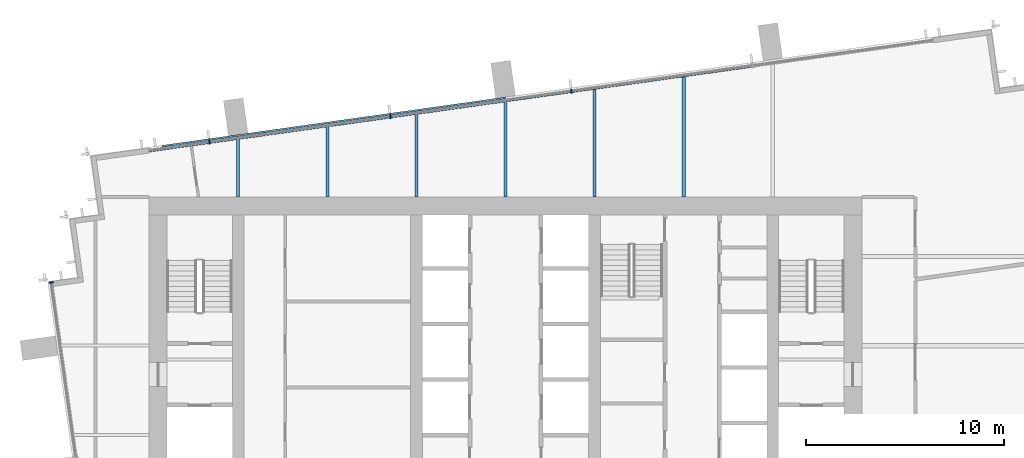
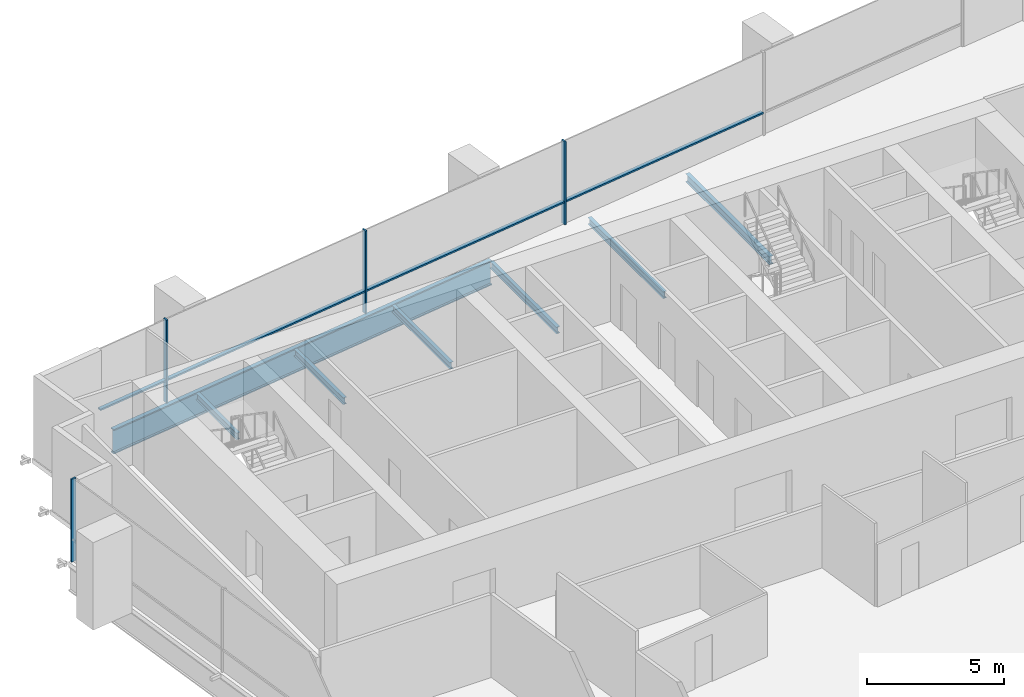
# One storey, part 6 of 13: 8 members, 7 beams, 2 elements without a shape of their own.
"""IFC4 building model written with IfcOpenShell, lengths in metres."""

from ifc_helpers import new_model, si_unit, direction, frame, origin, origin_2d, place, context, subcontext, project, spatial, rectangle, i_section, extrude, material, layer, layer_set, material_profile, profile_set, type_object, element, aggregate, save


model = new_model("IFC4")

# Units and contexts
model_context = context("Model", 3, precision=1e-05, world=origin(), true_north=direction((0.0, 1.0)))
body_context = subcontext(model_context, "Body", "Model", "MODEL_VIEW")
ifc_project = project(units=[si_unit("LENGTHUNIT", "METRE"), si_unit("AREAUNIT", "SQUARE_METRE"), si_unit("VOLUMEUNIT", "CUBIC_METRE"), si_unit("PLANEANGLEUNIT", "RADIAN"), si_unit("MASSUNIT", "GRAM", prefix="KILO")], contexts=[model_context])

# Site, building, storey
site_placement = place(None, origin())
site = spatial("IfcSite", under=ifc_project, at=site_placement, CompositionType="ELEMENT")
building_placement = place(site_placement, origin())
building = spatial("IfcBuilding", under=site, at=building_placement, Name="Rattan Terrace Tower", CompositionType="ELEMENT")
storey_placement = place(building_placement, frame((0.0, 0.0, 217.39990234375)))
storey = spatial("IfcBuildingStorey", under=building, at=storey_placement, Name="L49", CompositionType="ELEMENT", Elevation=217.39990234375)

# Beams
ifc_material_1 = material(Name="Steel S460", Category="steel")
ifc_material_profile_1 = material_profile(ifc_material_1, i_section(OverallWidth=0.179931640625, OverallDepth=1.10009765625, WebThickness=0.01611328125, FlangeThickness=0.050048828125, at=origin_2d()), Name="PG 1100x180-16-50")
ifc_profile_set_1 = profile_set([ifc_material_profile_1], Name="Steel S460")
beam_type_1 = type_object("IfcBeamType", Name="Frame edge girder PG 1100x180-16-50", PredefinedType="SPANDREL", material=ifc_profile_set_1)
beam_1_placement = place(storey_placement, frame((-17.347900390625, 10.031005859375, -0.75), z_axis=(0.990267797657, 0.13917502981, 0.0), x_axis=(-0.13917502981, 0.990267797657, 0.0)))
element("IfcBeam", 1, at=beam_1_placement, inside=storey, type_object=beam_type_1, Name="gdr-L49-005", PredefinedType="SPANDREL", context=body_context, shape_type="SweptSolid", body=[
    extrude(i_section(OverallWidth=0.179931640625, OverallDepth=1.10009765625, WebThickness=0.01611328125, FlangeThickness=0.050048828125, at=origin_2d()), origin(), (0.0, 0.0, 1.0), 17.531494140625),
])
ifc_material_2 = material(Name="Steel S355", Category="steel")
ifc_material_profile_2 = material_profile(ifc_material_2, i_section(OverallWidth=0.14990234375, OverallDepth=0.300048828125, WebThickness=0.007080078125, FlangeThickness=0.0107421875, FilletRadius=0.014892578125, at=origin_2d()), Name="IPE 300")
ifc_profile_set_2 = profile_set([ifc_material_profile_2], Name="Steel S355")
beam_type_2 = type_object("IfcBeamType", Name="Frame floor beam IPE 300", PredefinedType="JOIST", material=ifc_profile_set_2)
beam_2_placement = place(storey_placement, frame((-13.5, 7.5, -0.349853515625), z_axis=(0.0, 1.0, 0.0), x_axis=(-1.0, 0.0, 0.0)))
element("IfcBeam", 2, at=beam_2_placement, inside=storey, type_object=beam_type_2, Name="bm-L49-014", PredefinedType="JOIST", context=body_context, shape_type="SweptSolid", body=[
    extrude(i_section(OverallWidth=0.14990234375, OverallDepth=0.300048828125, WebThickness=0.007080078125, FlangeThickness=0.0107421875, FilletRadius=0.014892578125, at=origin_2d()), origin(), (0.0, 0.0, 1.0), 2.969970703125),
])
beam_3_placement = place(storey_placement, frame((-9.0, 7.5, -0.349853515625), z_axis=(0.0, 1.0, 0.0), x_axis=(-1.0, 0.0, 0.0)))
element("IfcBeam", 3, at=beam_3_placement, inside=storey, type_object=beam_type_2, Name="bm-L49-015", PredefinedType="JOIST", context=body_context, shape_type="SweptSolid", body=[
    extrude(i_section(OverallWidth=0.14990234375, OverallDepth=0.300048828125, WebThickness=0.007080078125, FlangeThickness=0.0107421875, FilletRadius=0.014892578125, at=origin_2d()), origin(), (0.0, 0.0, 1.0), 3.60302734375),
])
beam_4_placement = place(storey_placement, frame((-4.5, 7.5, -0.349853515625), z_axis=(0.0, 1.0, 0.0), x_axis=(-1.0, 0.0, 0.0)))
element("IfcBeam", 4, at=beam_4_placement, inside=storey, type_object=beam_type_2, Name="bm-L49-016", PredefinedType="JOIST", context=body_context, shape_type="SweptSolid", body=[
    extrude(i_section(OverallWidth=0.14990234375, OverallDepth=0.300048828125, WebThickness=0.007080078125, FlangeThickness=0.0107421875, FilletRadius=0.014892578125, at=origin_2d()), origin(), (0.0, 0.0, 1.0), 4.235107421875),
])
beam_5_placement = place(storey_placement, frame((0.0, 7.5, -0.349853515625), z_axis=(0.0, 1.0, 0.0), x_axis=(-1.0, 0.0, 0.0)))
element("IfcBeam", 5, at=beam_5_placement, inside=storey, type_object=beam_type_2, Name="bm-L49-017", PredefinedType="JOIST", context=body_context, shape_type="SweptSolid", body=[
    extrude(i_section(OverallWidth=0.14990234375, OverallDepth=0.300048828125, WebThickness=0.007080078125, FlangeThickness=0.0107421875, FilletRadius=0.014892578125, at=origin_2d()), origin(), (0.0, 0.0, 1.0), 4.867919921875),
])
beam_6_placement = place(storey_placement, frame((4.5, 7.5, -0.349853515625), z_axis=(0.0, 1.0, 0.0), x_axis=(-1.0, 0.0, 0.0)))
element("IfcBeam", 6, at=beam_6_placement, inside=storey, type_object=beam_type_2, Name="bm-L49-018", PredefinedType="JOIST", context=body_context, shape_type="SweptSolid", body=[
    extrude(i_section(OverallWidth=0.14990234375, OverallDepth=0.300048828125, WebThickness=0.007080078125, FlangeThickness=0.0107421875, FilletRadius=0.014892578125, at=origin_2d()), origin(), (0.0, 0.0, 1.0), 5.5),
])
ifc_material_3 = material(Name="Steel S355", Category="steel")
ifc_material_profile_3 = material_profile(ifc_material_3, i_section(OverallWidth=0.169921875, OverallDepth=0.360107421875, WebThickness=0.008056640625, FlangeThickness=0.0126953125, FilletRadius=0.01806640625, at=origin_2d()), Name="IPE 360")
ifc_profile_set_3 = profile_set([ifc_material_profile_3], Name="Steel S355")
beam_type_3 = type_object("IfcBeamType", Name="Frame floor beam IPE 360", PredefinedType="JOIST", material=ifc_profile_set_3)
beam_7_placement = place(storey_placement, frame((9.0, 7.5, -0.3798828125), z_axis=(0.0, 1.0, 0.0), x_axis=(-1.0, 0.0, 0.0)))
element("IfcBeam", 7, at=beam_7_placement, inside=storey, type_object=beam_type_3, Name="bm-L49-019", PredefinedType="JOIST", context=body_context, shape_type="SweptSolid", body=[
    extrude(i_section(OverallWidth=0.169921875, OverallDepth=0.360107421875, WebThickness=0.008056640625, FlangeThickness=0.0126953125, FilletRadius=0.01806640625, at=origin_2d()), origin(), (0.0, 0.0, 1.0), 6.131103515625),
])

# Curtain wall, members
ifc_material_4 = material(Name="Aluminium and laminated glass", Category="aluminium")
ifc_layer = layer(ifc_material_4, 0.199951171875)
ifc_layer_set = layer_set([ifc_layer], Name="High-Zone Unitised Curtain Wall")
curtain_wall_type = type_object("IfcCurtainWallType", Name="High-Zone Unitised Curtain Wall", PredefinedType="NOTDEFINED", material=ifc_layer_set)
curtain_wall_1_placement = place(storey_placement, origin())
curtain_wall_1 = element("IfcCurtainWall", 8, at=curtain_wall_1_placement, inside=storey, type_object=curtain_wall_type, Name="High-zone curtain wall L49-2", PredefinedType="NOTDEFINED")
ifc_material_5 = material(Name="Aluminium", Category="aluminium")
ifc_material_profile_4 = material_profile(ifc_material_5, rectangle(XDim=0.070068359375, YDim=0.199951171875, at=origin_2d()), Name="Aluminium 70x200")
ifc_profile_set_4 = profile_set([ifc_material_profile_4], Name="Aluminium")
member_type_1 = type_object("IfcMemberType", Name="High-Zone CW Mullion 70x200", PredefinedType="MULLION", material=ifc_profile_set_4)
member_1_placement = place(storey_placement, frame((3.332275390625, 12.856201171875, 0.0), z_axis=(0.0, 0.0, 1.0), x_axis=(-0.990267457022, -0.139177453499, 0.0)))
member_1 = element("IfcMember", 9, at=member_1_placement, type_object=member_type_1, Name="Mullion cwl-L49-002.3", PredefinedType="MULLION", context=body_context, shape_type="SweptSolid", body=[
    extrude(rectangle(XDim=0.070068359375, YDim=0.199951171875, at=origin_2d()), origin(), (0.0, 0.0, 1.0), 3.7001953125),
])
member_2_placement = place(storey_placement, frame((-5.808837890625, 11.571533203125, 0.0), z_axis=(0.0, 0.0, 1.0), x_axis=(-0.990267457022, -0.139177453499, 0.0)))
member_2 = element("IfcMember", 10, at=member_2_placement, type_object=member_type_1, Name="Mullion cwl-L49-002.4", PredefinedType="MULLION", context=body_context, shape_type="SweptSolid", body=[
    extrude(rectangle(XDim=0.070068359375, YDim=0.199951171875, at=origin_2d()), origin(), (0.0, 0.0, 1.0), 3.7001953125),
])
member_3_placement = place(storey_placement, frame((-14.949951171875, 10.28662109375, 0.0), z_axis=(0.0, 0.0, 1.0), x_axis=(-0.990267457022, -0.139177453499, 0.0)))
member_3 = element("IfcMember", 11, at=member_3_placement, type_object=member_type_1, Name="Mullion cwl-L49-002.5", PredefinedType="MULLION", context=body_context, shape_type="SweptSolid", body=[
    extrude(rectangle(XDim=0.070068359375, YDim=0.199951171875, at=origin_2d()), origin(), (0.0, 0.0, 1.0), 3.7001953125),
])

# Curtain wall, member
curtain_wall_2_placement = place(storey_placement, origin())
curtain_wall_2 = element("IfcCurtainWall", 12, at=curtain_wall_2_placement, inside=storey, type_object=curtain_wall_type, Name="High-zone curtain wall L49-3", PredefinedType="NOTDEFINED")
member_4_placement = place(storey_placement, frame((-22.946533203125, 3.1943359375, 0.0), z_axis=(0.0, 0.0, 1.0), x_axis=(0.139186165309, -0.990266232579, 0.0)))
member_4 = element("IfcMember", 13, at=member_4_placement, type_object=member_type_1, Name="Mullion cwl-L49-003.1", PredefinedType="MULLION", context=body_context, shape_type="SweptSolid", body=[
    extrude(rectangle(XDim=0.070068359375, YDim=0.199951171875, at=origin_2d()), origin(), (0.0, 0.0, 1.0), 3.7001953125),
])
aggregate(curtain_wall_2, [member_4])

# Member
ifc_material_6 = material(Name="Aluminium", Category="aluminium")
ifc_material_profile_5 = material_profile(ifc_material_6, rectangle(XDim=0.159912109375, YDim=0.070068359375, at=origin_2d()), Name="Aluminium 160x70")
ifc_profile_set_5 = profile_set([ifc_material_profile_5], Name="Aluminium")
member_type_2 = type_object("IfcMemberType", Name="High-Zone CW Transom 160x70", PredefinedType="USERDEFINED", material=ifc_profile_set_5)
member_5_placement = place(storey_placement, frame((12.438720703125, 14.135986328125, 1.0), z_axis=(-0.990268863305, -0.13916744723, 0.0), x_axis=(0.13916744723, -0.990268863305, 0.0)))
member_5 = element("IfcMember", 14, at=member_5_placement, type_object=member_type_2, Name="Transom cwl-L49-002.2", ObjectType="TRANSOM", PredefinedType="USERDEFINED", context=body_context, shape_type="SweptSolid", body=[
    extrude(rectangle(XDim=0.159912109375, YDim=0.070068359375, at=origin_2d()), origin(), (0.0, 0.0, 1.0), 9.160888671875),
])

member_6_placement = place(storey_placement, frame((3.297607421875, 12.851318359375, 1.0), z_axis=(-0.990265190222, -0.139193581154, 0.0), x_axis=(0.139193581154, -0.990265190222, 0.0)))
member_6 = element("IfcMember", 15, at=member_6_placement, type_object=member_type_2, Name="Transom cwl-L49-002.3", ObjectType="TRANSOM", PredefinedType="USERDEFINED", context=body_context, shape_type="SweptSolid", body=[
    extrude(rectangle(XDim=0.159912109375, YDim=0.070068359375, at=origin_2d()), origin(), (0.0, 0.0, 1.0), 9.160888671875),
])

member_7_placement = place(storey_placement, frame((-5.843505859375, 11.566650390625, 1.0), z_axis=(-0.990265190222, -0.139193581154, 0.0), x_axis=(0.139193581154, -0.990265190222, 0.0)))
member_7 = element("IfcMember", 16, at=member_7_placement, type_object=member_type_2, Name="Transom cwl-L49-002.4", ObjectType="TRANSOM", PredefinedType="USERDEFINED", context=body_context, shape_type="SweptSolid", body=[
    extrude(rectangle(XDim=0.159912109375, YDim=0.070068359375, at=origin_2d()), origin(), (0.0, 0.0, 1.0), 9.160888671875),
])

member_8_placement = place(storey_placement, frame((-14.984619140625, 10.28173828125, 1.0), z_axis=(-0.990269723995, -0.139161322712, 0.0), x_axis=(0.139161322712, -0.990269723995, 0.0)))
member_8 = element("IfcMember", 17, at=member_8_placement, type_object=member_type_2, Name="Transom cwl-L49-002.5", ObjectType="TRANSOM", PredefinedType="USERDEFINED", context=body_context, shape_type="SweptSolid", body=[
    extrude(rectangle(XDim=0.159912109375, YDim=0.070068359375, at=origin_2d()), origin(), (0.0, 0.0, 1.0), 3.040283203125),
])

aggregate(curtain_wall_1, [member_1, member_2, member_3, member_5, member_6, member_7, member_8])

save(model, "model.ifc")
